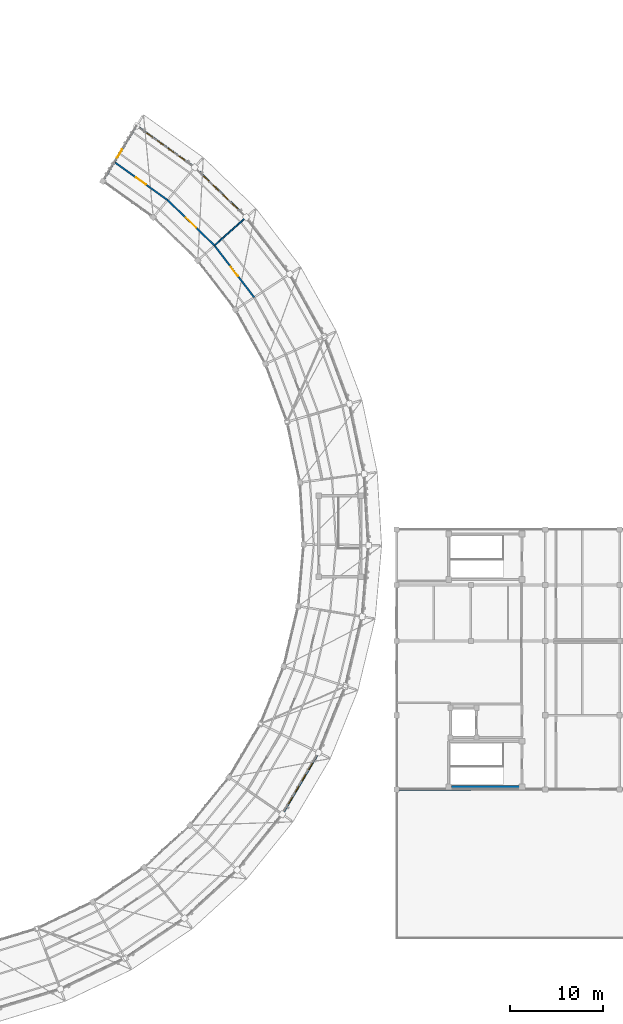
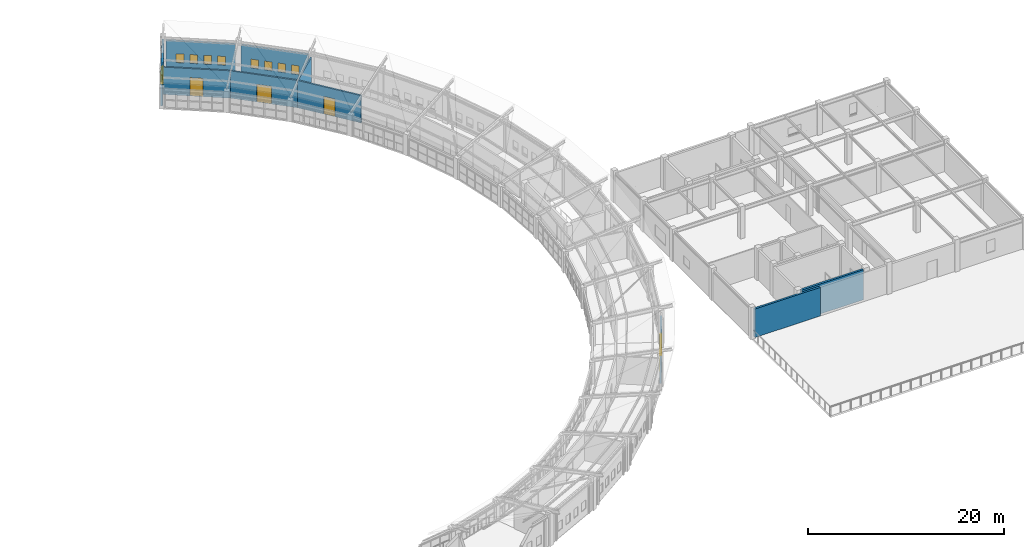
# One storey, part 131 of 149: 13 windows, 10 walls, 3 doors, 16 openings.
"""IFC4 building model written with IfcOpenShell, lengths in metres."""

from ifc_helpers import new_model, si_unit, direction, frame, frame_2d, origin, place, context, subcontext, project, spatial, rectangle, extrude, material, layer, layer_set, type_object, element, fill, save


model = new_model("IFC4")

# Units and contexts
model_context = context("Model", 3, precision=1e-05, world=origin(), true_north=direction((0.0, 1.0)))
body_context = subcontext(model_context, "Body", "Model", "MODEL_VIEW")
ifc_project = project(units=[si_unit("LENGTHUNIT", "METRE"), si_unit("AREAUNIT", "SQUARE_METRE"), si_unit("VOLUMEUNIT", "CUBIC_METRE"), si_unit("PLANEANGLEUNIT", "RADIAN"), si_unit("MASSUNIT", "GRAM", prefix="KILO")], contexts=[model_context])

# Site, building, storey
site_placement = place(None, origin())
site = spatial("IfcSite", under=ifc_project, at=site_placement, CompositionType="ELEMENT")
building_placement = place(site_placement, origin())
building = spatial("IfcBuilding", under=site, at=building_placement, Name="Celadon Cloister-Ring School", CompositionType="ELEMENT")
storey_placement = place(building_placement, frame((0.0, 0.0, 12.5)))
storey = spatial("IfcBuildingStorey", under=building, at=storey_placement, Name="L03", CompositionType="ELEMENT", Elevation=12.5)

# Wall
ifc_material_1 = material(Name="Rendered concrete blockwork", Category="masonry")
ifc_layer_1 = layer(ifc_material_1, 0.239990234375)
ifc_layer_set_1 = layer_set([ifc_layer_1], Name="Rendered concrete blockwork")
wall_type_1 = type_object("IfcWallType", Name="WT-EX3", PredefinedType="SOLIDWALL", material=ifc_layer_set_1)
wall_1_placement = place(storey_placement, frame((150.0, 32.0, 0.0), z_axis=(0.0, 0.0, 1.0), x_axis=(-1.0, 0.0, 0.0)))
element("IfcWall", 1, at=wall_1_placement, inside=storey, type_object=wall_type_1, Name="Exterior Wall 0486", PredefinedType="SOLIDWALL", context=body_context, shape_type="SweptSolid", body=[
    extrude(rectangle(XDim=7.722900390625, YDim=0.239990234375, at=frame_2d((3.861328125, 0.0))), origin(), (0.0, 0.0, 1.0), 3.550048828125),
])

# Wall, openings, windows
ifc_material_2 = material(Name="Perforated terracotta clay brick masonry", Category="masonry")
ifc_layer_2 = layer(ifc_material_2, 0.219970703125)
ifc_layer_set_2 = layer_set([ifc_layer_2], Name="Perforated terracotta clay brick masonry")
wall_type_2 = type_object("IfcWallType", Name="WT-EX4", PredefinedType="SOLIDWALL", material=ifc_layer_set_2)
wall_2_placement = place(storey_placement, frame((133.467041015625, 35.708984375, 0.0), z_axis=(0.0, 0.0, 1.0), x_axis=(-0.507925334326, -0.861401099808, 0.0)))
wall_2 = element("IfcWall", 2, at=wall_2_placement, inside=storey, type_object=wall_type_2, Name="Exterior Wall 0198", PredefinedType="SOLIDWALL", context=body_context, shape_type="SweptSolid", body=[
    extrude(rectangle(XDim=7.08154296875, YDim=0.219970703125, at=frame_2d((3.540771484375, 0.0))), origin(), (0.0, 0.0, 1.0), 3.537109375),
])
opening_1_placement = place(wall_2_placement, frame((1.01611328125, 0.0, 0.85009765625)))
opening_1 = element("IfcOpeningElement", 3, at=opening_1_placement, cuts=wall_2, Name="Opening WN-01", PredefinedType="OPENING", context=body_context, shape_type="SweptSolid", body=[
    extrude(rectangle(XDim=0.800048828125, YDim=1.10009765625, at=frame_2d((0.39990234375, 0.550048828125))), frame((0.0, 0.1201171875, 0.0), z_axis=(0.0, -1.0, 0.0), x_axis=(1.0, 0.0, 0.0)), (0.0, 0.0, 1.0), 0.239990234375),
])
opening_2_placement = place(wall_2_placement, frame((2.43310546875, 0.0, 0.85009765625)))
opening_2 = element("IfcOpeningElement", 4, at=opening_2_placement, cuts=wall_2, Name="Opening WN-01", PredefinedType="OPENING", context=body_context, shape_type="SweptSolid", body=[
    extrude(rectangle(XDim=0.800048828125, YDim=1.10009765625, at=frame_2d((0.39990234375, 0.550048828125))), frame((0.0, 0.1201171875, 0.0), z_axis=(0.0, -1.0, 0.0), x_axis=(1.0, 0.0, 0.0)), (0.0, 0.0, 1.0), 0.239990234375),
])
opening_3_placement = place(wall_2_placement, frame((3.84912109375, 0.0, 0.85009765625)))
opening_3 = element("IfcOpeningElement", 5, at=opening_3_placement, cuts=wall_2, Name="Opening WN-01", PredefinedType="OPENING", context=body_context, shape_type="SweptSolid", body=[
    extrude(rectangle(XDim=0.800048828125, YDim=1.10009765625, at=frame_2d((0.39990234375, 0.550048828125))), frame((0.0, 0.1201171875, 0.0), z_axis=(0.0, -1.0, 0.0), x_axis=(1.0, 0.0, 0.0)), (0.0, 0.0, 1.0), 0.239990234375),
])
opening_4_placement = place(wall_2_placement, frame((5.264892578125, 0.0, 0.85009765625)))
opening_4 = element("IfcOpeningElement", 6, at=opening_4_placement, cuts=wall_2, Name="Opening WN-01", PredefinedType="OPENING", context=body_context, shape_type="SweptSolid", body=[
    extrude(rectangle(XDim=0.800048828125, YDim=1.10009765625, at=frame_2d((0.39990234375, 0.550048828125))), frame((0.0, 0.1201171875, 0.0), z_axis=(0.0, -1.0, 0.0), x_axis=(1.0, 0.0, 0.0)), (0.0, 0.0, 1.0), 0.239990234375),
])
ifc_material_3 = material(Name="Tempered laminated insulating glass", Category="glass")
window_type_1 = type_object("IfcWindowType", Name="WN-01", PartitioningType="SINGLE_PANEL", PredefinedType="WINDOW", material=ifc_material_3)
window_1_placement = place(opening_1_placement, origin())
window_1 = element("IfcWindow", 7, at=window_1_placement, inside=storey, type_object=window_type_1, Name="Window 0534", OverallHeight=1.10009765625, OverallWidth=0.800048828125, PartitioningType="SINGLE_PANEL", PredefinedType="WINDOW", context=body_context, shape_type="SweptSolid", body=[
    extrude(rectangle(XDim=0.800048828125, YDim=1.10009765625, at=frame_2d((0.39990234375, 0.550048828125))), frame((0.0, 0.030029296875, 0.0), z_axis=(0.0, -1.0, 0.0), x_axis=(1.0, 0.0, 0.0)), (0.0, 0.0, 1.0), 0.06005859375),
])
fill(opening_1, window_1)
window_2_placement = place(opening_2_placement, origin())
window_2 = element("IfcWindow", 8, at=window_2_placement, inside=storey, type_object=window_type_1, Name="Window 0535", OverallHeight=1.10009765625, OverallWidth=0.800048828125, PartitioningType="SINGLE_PANEL", PredefinedType="WINDOW", context=body_context, shape_type="SweptSolid", body=[
    extrude(rectangle(XDim=0.800048828125, YDim=1.10009765625, at=frame_2d((0.39990234375, 0.550048828125))), frame((0.0, 0.030029296875, 0.0), z_axis=(0.0, -1.0, 0.0), x_axis=(1.0, 0.0, 0.0)), (0.0, 0.0, 1.0), 0.06005859375),
])
fill(opening_2, window_2)
window_3_placement = place(opening_3_placement, origin())
window_3 = element("IfcWindow", 9, at=window_3_placement, inside=storey, type_object=window_type_1, Name="Window 0536", OverallHeight=1.10009765625, OverallWidth=0.800048828125, PartitioningType="SINGLE_PANEL", PredefinedType="WINDOW", context=body_context, shape_type="SweptSolid", body=[
    extrude(rectangle(XDim=0.800048828125, YDim=1.10009765625, at=frame_2d((0.39990234375, 0.550048828125))), frame((0.0, 0.030029296875, 0.0), z_axis=(0.0, -1.0, 0.0), x_axis=(1.0, 0.0, 0.0)), (0.0, 0.0, 1.0), 0.06005859375),
])
fill(opening_3, window_3)
window_4_placement = place(opening_4_placement, origin())
window_4 = element("IfcWindow", 10, at=window_4_placement, inside=storey, type_object=window_type_1, Name="Window 0537", OverallHeight=1.10009765625, OverallWidth=0.800048828125, PartitioningType="SINGLE_PANEL", PredefinedType="WINDOW", context=body_context, shape_type="SweptSolid", body=[
    extrude(rectangle(XDim=0.800048828125, YDim=1.10009765625, at=frame_2d((0.39990234375, 0.550048828125))), frame((0.0, 0.030029296875, 0.0), z_axis=(0.0, -1.0, 0.0), x_axis=(1.0, 0.0, 0.0)), (0.0, 0.0, 1.0), 0.06005859375),
])
fill(opening_4, window_4)

wall_3_placement = place(storey_placement, frame((120.52001953125, 98.72509765625, 0.0), z_axis=(0.0, 0.0, 1.0), x_axis=(0.71857824473, -0.695446120272, 0.0)))
wall_3 = element("IfcWall", 11, at=wall_3_placement, inside=storey, type_object=wall_type_2, Name="Exterior Wall 0207", PredefinedType="SOLIDWALL", context=body_context, shape_type="SweptSolid", body=[
    extrude(rectangle(XDim=7.081787109375, YDim=0.219970703125, at=frame_2d((3.541015625, 0.0))), origin(), (0.0, 0.0, 1.0), 3.537109375),
])
opening_5_placement = place(wall_3_placement, frame((1.01611328125, 0.0, 0.85009765625)))
opening_5 = element("IfcOpeningElement", 12, at=opening_5_placement, cuts=wall_3, Name="Opening WN-01", PredefinedType="OPENING", context=body_context, shape_type="SweptSolid", body=[
    extrude(rectangle(XDim=0.800048828125, YDim=1.10009765625, at=frame_2d((0.39990234375, 0.550048828125))), frame((0.0, 0.1201171875, 0.0), z_axis=(0.0, -1.0, 0.0), x_axis=(1.0, 0.0, 0.0)), (0.0, 0.0, 1.0), 0.239990234375),
])
opening_6_placement = place(wall_3_placement, frame((2.43310546875, 0.0, 0.85009765625)))
opening_6 = element("IfcOpeningElement", 13, at=opening_6_placement, cuts=wall_3, Name="Opening WN-01", PredefinedType="OPENING", context=body_context, shape_type="SweptSolid", body=[
    extrude(rectangle(XDim=0.800048828125, YDim=1.10009765625, at=frame_2d((0.39990234375, 0.550048828125))), frame((0.0, 0.1201171875, 0.0), z_axis=(0.0, -1.0, 0.0), x_axis=(1.0, 0.0, 0.0)), (0.0, 0.0, 1.0), 0.239990234375),
])
opening_7_placement = place(wall_3_placement, frame((3.84912109375, 0.0, 0.85009765625)))
opening_7 = element("IfcOpeningElement", 14, at=opening_7_placement, cuts=wall_3, Name="Opening WN-01", PredefinedType="OPENING", context=body_context, shape_type="SweptSolid", body=[
    extrude(rectangle(XDim=0.800048828125, YDim=1.10009765625, at=frame_2d((0.39990234375, 0.550048828125))), frame((0.0, 0.1201171875, 0.0), z_axis=(0.0, -1.0, 0.0), x_axis=(1.0, 0.0, 0.0)), (0.0, 0.0, 1.0), 0.239990234375),
])
opening_8_placement = place(wall_3_placement, frame((5.26611328125, 0.0, 0.85009765625)))
opening_8 = element("IfcOpeningElement", 15, at=opening_8_placement, cuts=wall_3, Name="Opening WN-01", PredefinedType="OPENING", context=body_context, shape_type="SweptSolid", body=[
    extrude(rectangle(XDim=0.800048828125, YDim=1.10009765625, at=frame_2d((0.39990234375, 0.550048828125))), frame((0.0, 0.1201171875, 0.0), z_axis=(0.0, -1.0, 0.0), x_axis=(1.0, 0.0, 0.0)), (0.0, 0.0, 1.0), 0.239990234375),
])
window_5_placement = place(opening_5_placement, origin())
window_5 = element("IfcWindow", 16, at=window_5_placement, inside=storey, type_object=window_type_1, Name="Window 0568", OverallHeight=1.10009765625, OverallWidth=0.800048828125, PartitioningType="SINGLE_PANEL", PredefinedType="WINDOW", context=body_context, shape_type="SweptSolid", body=[
    extrude(rectangle(XDim=0.800048828125, YDim=1.10009765625, at=frame_2d((0.39990234375, 0.550048828125))), frame((0.0, 0.030029296875, 0.0), z_axis=(0.0, -1.0, 0.0), x_axis=(1.0, 0.0, 0.0)), (0.0, 0.0, 1.0), 0.06005859375),
])
fill(opening_5, window_5)
window_6_placement = place(opening_6_placement, origin())
window_6 = element("IfcWindow", 17, at=window_6_placement, inside=storey, type_object=window_type_1, Name="Window 0569", OverallHeight=1.10009765625, OverallWidth=0.800048828125, PartitioningType="SINGLE_PANEL", PredefinedType="WINDOW", context=body_context, shape_type="SweptSolid", body=[
    extrude(rectangle(XDim=0.800048828125, YDim=1.10009765625, at=frame_2d((0.39990234375, 0.550048828125))), frame((0.0, 0.030029296875, 0.0), z_axis=(0.0, -1.0, 0.0), x_axis=(1.0, 0.0, 0.0)), (0.0, 0.0, 1.0), 0.06005859375),
])
fill(opening_6, window_6)
window_7_placement = place(opening_7_placement, origin())
window_7 = element("IfcWindow", 18, at=window_7_placement, inside=storey, type_object=window_type_1, Name="Window 0570", OverallHeight=1.10009765625, OverallWidth=0.800048828125, PartitioningType="SINGLE_PANEL", PredefinedType="WINDOW", context=body_context, shape_type="SweptSolid", body=[
    extrude(rectangle(XDim=0.800048828125, YDim=1.10009765625, at=frame_2d((0.39990234375, 0.550048828125))), frame((0.0, 0.030029296875, 0.0), z_axis=(0.0, -1.0, 0.0), x_axis=(1.0, 0.0, 0.0)), (0.0, 0.0, 1.0), 0.06005859375),
])
fill(opening_7, window_7)
window_8_placement = place(opening_8_placement, origin())
window_8 = element("IfcWindow", 19, at=window_8_placement, inside=storey, type_object=window_type_1, Name="Window 0571", OverallHeight=1.10009765625, OverallWidth=0.800048828125, PartitioningType="SINGLE_PANEL", PredefinedType="WINDOW", context=body_context, shape_type="SweptSolid", body=[
    extrude(rectangle(XDim=0.800048828125, YDim=1.10009765625, at=frame_2d((0.39990234375, 0.550048828125))), frame((0.0, 0.030029296875, 0.0), z_axis=(0.0, -1.0, 0.0), x_axis=(1.0, 0.0, 0.0)), (0.0, 0.0, 1.0), 0.06005859375),
])
fill(opening_8, window_8)

wall_4_placement = place(storey_placement, frame((114.283935546875, 103.240966796875, 0.0), z_axis=(0.0, 0.0, 1.0), x_axis=(0.813425855983, -0.581668614262, 0.0)))
wall_4 = element("IfcWall", 20, at=wall_4_placement, inside=storey, type_object=wall_type_2, Name="Exterior Wall 0208", PredefinedType="SOLIDWALL", context=body_context, shape_type="SweptSolid", body=[
    extrude(rectangle(XDim=7.0810546875, YDim=0.219970703125, at=frame_2d((3.54052734375, 0.0))), origin(), (0.0, 0.0, 1.0), 3.537109375),
])
opening_9_placement = place(wall_4_placement, frame((1.01611328125, 0.0, 0.85009765625)))
opening_9 = element("IfcOpeningElement", 21, at=opening_9_placement, cuts=wall_4, Name="Opening WN-01", PredefinedType="OPENING", context=body_context, shape_type="SweptSolid", body=[
    extrude(rectangle(XDim=0.800048828125, YDim=1.10009765625, at=frame_2d((0.39990234375, 0.550048828125))), frame((0.0, 0.1201171875, 0.0), z_axis=(0.0, -1.0, 0.0), x_axis=(1.0, 0.0, 0.0)), (0.0, 0.0, 1.0), 0.239990234375),
])
opening_10_placement = place(wall_4_placement, frame((2.431884765625, 0.0, 0.85009765625)))
opening_10 = element("IfcOpeningElement", 22, at=opening_10_placement, cuts=wall_4, Name="Opening WN-01", PredefinedType="OPENING", context=body_context, shape_type="SweptSolid", body=[
    extrude(rectangle(XDim=0.800048828125, YDim=1.10009765625, at=frame_2d((0.39990234375, 0.550048828125))), frame((0.0, 0.1201171875, 0.0), z_axis=(0.0, -1.0, 0.0), x_axis=(1.0, 0.0, 0.0)), (0.0, 0.0, 1.0), 0.239990234375),
])
opening_11_placement = place(wall_4_placement, frame((3.84912109375, 0.0, 0.85009765625)))
opening_11 = element("IfcOpeningElement", 23, at=opening_11_placement, cuts=wall_4, Name="Opening WN-01", PredefinedType="OPENING", context=body_context, shape_type="SweptSolid", body=[
    extrude(rectangle(XDim=0.800048828125, YDim=1.10009765625, at=frame_2d((0.39990234375, 0.550048828125))), frame((0.0, 0.1201171875, 0.0), z_axis=(0.0, -1.0, 0.0), x_axis=(1.0, 0.0, 0.0)), (0.0, 0.0, 1.0), 0.239990234375),
])
opening_12_placement = place(wall_4_placement, frame((5.264892578125, 0.0, 0.85009765625)))
opening_12 = element("IfcOpeningElement", 24, at=opening_12_placement, cuts=wall_4, Name="Opening WN-01", PredefinedType="OPENING", context=body_context, shape_type="SweptSolid", body=[
    extrude(rectangle(XDim=0.800048828125, YDim=1.10009765625, at=frame_2d((0.39990234375, 0.550048828125))), frame((0.0, 0.1201171875, 0.0), z_axis=(0.0, -1.0, 0.0), x_axis=(1.0, 0.0, 0.0)), (0.0, 0.0, 1.0), 0.239990234375),
])
window_9_placement = place(opening_9_placement, origin())
window_9 = element("IfcWindow", 25, at=window_9_placement, inside=storey, type_object=window_type_1, Name="Window 0572", OverallHeight=1.10009765625, OverallWidth=0.800048828125, PartitioningType="SINGLE_PANEL", PredefinedType="WINDOW", context=body_context, shape_type="SweptSolid", body=[
    extrude(rectangle(XDim=0.800048828125, YDim=1.10009765625, at=frame_2d((0.39990234375, 0.550048828125))), frame((0.0, 0.030029296875, 0.0), z_axis=(0.0, -1.0, 0.0), x_axis=(1.0, 0.0, 0.0)), (0.0, 0.0, 1.0), 0.06005859375),
])
fill(opening_9, window_9)
window_10_placement = place(opening_10_placement, origin())
window_10 = element("IfcWindow", 26, at=window_10_placement, inside=storey, type_object=window_type_1, Name="Window 0573", OverallHeight=1.10009765625, OverallWidth=0.800048828125, PartitioningType="SINGLE_PANEL", PredefinedType="WINDOW", context=body_context, shape_type="SweptSolid", body=[
    extrude(rectangle(XDim=0.800048828125, YDim=1.10009765625, at=frame_2d((0.39990234375, 0.550048828125))), frame((0.0, 0.030029296875, 0.0), z_axis=(0.0, -1.0, 0.0), x_axis=(1.0, 0.0, 0.0)), (0.0, 0.0, 1.0), 0.06005859375),
])
fill(opening_10, window_10)
window_11_placement = place(opening_11_placement, origin())
window_11 = element("IfcWindow", 27, at=window_11_placement, inside=storey, type_object=window_type_1, Name="Window 0574", OverallHeight=1.10009765625, OverallWidth=0.800048828125, PartitioningType="SINGLE_PANEL", PredefinedType="WINDOW", context=body_context, shape_type="SweptSolid", body=[
    extrude(rectangle(XDim=0.800048828125, YDim=1.10009765625, at=frame_2d((0.39990234375, 0.550048828125))), frame((0.0, 0.030029296875, 0.0), z_axis=(0.0, -1.0, 0.0), x_axis=(1.0, 0.0, 0.0)), (0.0, 0.0, 1.0), 0.06005859375),
])
fill(opening_11, window_11)
window_12_placement = place(opening_12_placement, origin())
window_12 = element("IfcWindow", 28, at=window_12_placement, inside=storey, type_object=window_type_1, Name="Window 0575", OverallHeight=1.10009765625, OverallWidth=0.800048828125, PartitioningType="SINGLE_PANEL", PredefinedType="WINDOW", context=body_context, shape_type="SweptSolid", body=[
    extrude(rectangle(XDim=0.800048828125, YDim=1.10009765625, at=frame_2d((0.39990234375, 0.550048828125))), frame((0.0, 0.030029296875, 0.0), z_axis=(0.0, -1.0, 0.0), x_axis=(1.0, 0.0, 0.0)), (0.0, 0.0, 1.0), 0.06005859375),
])
fill(opening_12, window_12)

# Wall, opening, window
wall_5_placement = place(storey_placement, frame((110.535888671875, 97.678955078125, 0.0), z_axis=(0.0, 0.0, 1.0), x_axis=(0.519875778263, 0.854241871589, 0.0)))
wall_5 = element("IfcWall", 29, at=wall_5_placement, inside=storey, type_object=wall_type_2, Name="Exterior Wall 0210", PredefinedType="SOLIDWALL", context=body_context, shape_type="SweptSolid", body=[
    extrude(rectangle(XDim=6.421142578125, YDim=0.219970703125, at=frame_2d((3.21044921875, 0.0))), origin(), (0.0, 0.0, 1.0), 3.85009765625),
])
opening_13_placement = place(wall_5_placement, frame((2.68505859375, 0.0, 0.89990234375)))
opening_13 = element("IfcOpeningElement", 30, at=opening_13_placement, cuts=wall_5, Name="Opening WN-22", PredefinedType="OPENING", context=body_context, shape_type="SweptSolid", body=[
    extrude(rectangle(XDim=1.050048828125, YDim=1.39990234375, at=frame_2d((0.52490234375, 0.699951171875))), frame((0.0, 0.1201171875, 0.0), z_axis=(0.0, -1.0, 0.0), x_axis=(1.0, 0.0, 0.0)), (0.0, 0.0, 1.0), 0.239990234375),
])
ifc_material_4 = material(Name="Tempered laminated insulating glass", Category="glass")
window_type_2 = type_object("IfcWindowType", Name="WN-22", PartitioningType="SINGLE_PANEL", PredefinedType="WINDOW", material=ifc_material_4)
window_13_placement = place(opening_13_placement, origin())
window_13 = element("IfcWindow", 31, at=window_13_placement, inside=storey, type_object=window_type_2, Name="Window 0577", OverallHeight=1.39990234375, OverallWidth=1.050048828125, PartitioningType="SINGLE_PANEL", PredefinedType="WINDOW", context=body_context, shape_type="SweptSolid", body=[
    extrude(rectangle(XDim=1.050048828125, YDim=1.39990234375, at=frame_2d((0.52490234375, 0.699951171875))), frame((0.0, 0.030029296875, 0.0), z_axis=(0.0, -1.0, 0.0), x_axis=(1.0, 0.0, 0.0)), (0.0, 0.0, 1.0), 0.06005859375),
])
fill(opening_13, window_13)

# Wall, opening, door
ifc_material_5 = material(Name="Plastered hollow concrete masonry", Category="masonry")
ifc_layer_3 = layer(ifc_material_5, 0.179931640625)
ifc_layer_set_3 = layer_set([ifc_layer_3], Name="Plastered hollow concrete masonry")
wall_type_3 = type_object("IfcWallType", Name="WT-PT2", PredefinedType="PARTITIONING", material=ifc_layer_set_3)
wall_6_placement = place(storey_placement, frame((126.68310546875, 84.9599609375, 0.0), z_axis=(0.0, 0.0, 1.0), x_axis=(-0.607932411016, 0.793988780548, 0.0)))
wall_6 = element("IfcWall", 32, at=wall_6_placement, inside=storey, type_object=wall_type_3, Name="Interior Wall 0635", PredefinedType="PARTITIONING", context=body_context, shape_type="SweptSolid", body=[
    extrude(rectangle(XDim=7.025390625, YDim=0.179931640625, at=frame_2d((3.5126953125, 0.0))), origin(), (0.0, 0.0, 1.0), 3.39697265625),
])
opening_14_placement = place(wall_6_placement, frame((2.887939453125, 0.0, 0.0)))
opening_14 = element("IfcOpeningElement", 33, at=opening_14_placement, cuts=wall_6, Name="Opening D-0232", PredefinedType="OPENING", context=body_context, shape_type="SweptSolid", body=[
    extrude(rectangle(XDim=1.25, YDim=2.199951171875, at=frame_2d((0.625, 1.10009765625))), frame((0.0, 0.10009765625, 0.0), z_axis=(0.0, -1.0, 0.0), x_axis=(1.0, 0.0, 0.0)), (0.0, 0.0, 1.0), 0.199951171875),
])
ifc_material_6 = material(Name="Galvanised fire-rated hollow steel leaf", Category="steel")
door_type_1 = type_object("IfcDoorType", Name="DT-10", OperationType="NOTDEFINED", PredefinedType="DOOR", material=ifc_material_6)
door_1_placement = place(opening_14_placement, origin())
door_1 = element("IfcDoor", 34, at=door_1_placement, inside=storey, type_object=door_type_1, Name="Door D-0232", OperationType="SINGLE_SWING_RIGHT", OverallHeight=2.199951171875, OverallWidth=1.25, PredefinedType="DOOR", context=body_context, shape_type="SweptSolid", body=[
    extrude(rectangle(XDim=1.25, YDim=2.199951171875, at=frame_2d((0.625, 1.10009765625))), frame((0.0, 0.02490234375, 0.0), z_axis=(0.0, -1.0, 0.0), x_axis=(1.0, 0.0, 0.0)), (0.0, 0.0, 1.0), 0.050048828125),
])
fill(opening_14, door_1)

wall_7_placement = place(storey_placement, frame((122.412109375, 90.5380859375, 0.0), z_axis=(0.0, 0.0, 1.0), x_axis=(-0.718550040998, 0.695475260942, 0.0)))
wall_7 = element("IfcWall", 35, at=wall_7_placement, inside=storey, type_object=wall_type_3, Name="Interior Wall 0636", PredefinedType="PARTITIONING", context=body_context, shape_type="SweptSolid", body=[
    extrude(rectangle(XDim=7.025390625, YDim=0.179931640625, at=frame_2d((3.5126953125, 0.0))), origin(), (0.0, 0.0, 1.0), 3.39697265625),
])
opening_15_placement = place(wall_7_placement, frame((2.738037109375, 0.0, 0.0)))
opening_15 = element("IfcOpeningElement", 36, at=opening_15_placement, cuts=wall_7, Name="Opening D-0233", PredefinedType="OPENING", context=body_context, shape_type="SweptSolid", body=[
    extrude(rectangle(XDim=1.550048828125, YDim=2.199951171875, at=frame_2d((0.77490234375, 1.10009765625))), frame((0.0, 0.10009765625, 0.0), z_axis=(0.0, -1.0, 0.0), x_axis=(1.0, 0.0, 0.0)), (0.0, 0.0, 1.0), 0.199951171875),
])
ifc_material_7 = material(Name="Galvanised fire-rated hollow steel leaf", Category="steel")
door_type_2 = type_object("IfcDoorType", Name="DT-13", OperationType="NOTDEFINED", PredefinedType="DOOR", material=ifc_material_7)
door_2_placement = place(opening_15_placement, origin())
door_2 = element("IfcDoor", 37, at=door_2_placement, inside=storey, type_object=door_type_2, Name="Door D-0233", OperationType="SINGLE_SWING_LEFT", OverallHeight=2.199951171875, OverallWidth=1.550048828125, PredefinedType="DOOR", context=body_context, shape_type="SweptSolid", body=[
    extrude(rectangle(XDim=1.550048828125, YDim=2.199951171875, at=frame_2d((0.77490234375, 1.10009765625))), frame((0.0, 0.02490234375, 0.0), z_axis=(0.0, -1.0, 0.0), x_axis=(1.0, 0.0, 0.0)), (0.0, 0.0, 1.0), 0.050048828125),
])
fill(opening_15, door_2)

wall_8_placement = place(storey_placement, frame((117.364013671875, 95.424072265625, 0.0), z_axis=(0.0, 0.0, 1.0), x_axis=(-0.813442184371, 0.581645779393, 0.0)))
wall_8 = element("IfcWall", 38, at=wall_8_placement, inside=storey, type_object=wall_type_3, Name="Interior Wall 0637", PredefinedType="PARTITIONING", context=body_context, shape_type="SweptSolid", body=[
    extrude(rectangle(XDim=6.911376953125, YDim=0.179931640625, at=frame_2d((3.45556640625, 0.0))), origin(), (0.0, 0.0, 1.0), 3.39599609375),
])
opening_16_placement = place(wall_8_placement, frame((2.862060546875, 0.0, 0.0)))
opening_16 = element("IfcOpeningElement", 39, at=opening_16_placement, cuts=wall_8, Name="Opening D-0234", PredefinedType="OPENING", context=body_context, shape_type="SweptSolid", body=[
    extrude(rectangle(XDim=1.300048828125, YDim=2.280029296875, at=frame_2d((0.64990234375, 1.14013671875))), frame((0.0, 0.10009765625, 0.0), z_axis=(0.0, -1.0, 0.0), x_axis=(1.0, 0.0, 0.0)), (0.0, 0.0, 1.0), 0.199951171875),
])
ifc_material_8 = material(Name="Galvanised fire-rated hollow steel leaf", Category="steel")
door_type_3 = type_object("IfcDoorType", Name="DT-16", OperationType="NOTDEFINED", PredefinedType="DOOR", material=ifc_material_8)
door_3_placement = place(opening_16_placement, origin())
door_3 = element("IfcDoor", 40, at=door_3_placement, inside=storey, type_object=door_type_3, Name="Door D-0234", OperationType="SINGLE_SWING_RIGHT", OverallHeight=2.280029296875, OverallWidth=1.300048828125, PredefinedType="DOOR", context=body_context, shape_type="SweptSolid", body=[
    extrude(rectangle(XDim=1.300048828125, YDim=2.280029296875, at=frame_2d((0.64990234375, 1.14013671875))), frame((0.0, 0.02490234375, 0.0), z_axis=(0.0, -1.0, 0.0), x_axis=(1.0, 0.0, 0.0)), (0.0, 0.0, 1.0), 0.050048828125),
])
fill(opening_16, door_3)

# Walls
ifc_material_9 = material(Name="Acoustic mineral-wool drywall partition")
ifc_layer_4 = layer(ifc_material_9, 0.139892578125)
ifc_layer_set_4 = layer_set([ifc_layer_4], Name="Acoustic mineral-wool drywall partition")
wall_type_4 = type_object("IfcWallType", Name="WT-PT4", PredefinedType="PARTITIONING", material=ifc_layer_set_4)
wall_9_placement = place(storey_placement, frame((122.412109375, 90.5380859375, 0.0), z_axis=(0.0, 0.0, 1.0), x_axis=(0.746752390412, 0.665102148105, 0.0)))
element("IfcWall", 41, at=wall_9_placement, inside=storey, type_object=wall_type_4, Name="Interior Wall 0606", PredefinedType="PARTITIONING", context=body_context, shape_type="SweptSolid", body=[
    extrude(rectangle(XDim=4.287841796875, YDim=0.139892578125, at=frame_2d((2.14404296875, 0.0))), origin(), (0.0, 0.0, 1.0), 3.39697265625),
])
ifc_material_10 = material(Name="Concrete C40/50", Category="concrete")
ifc_layer_5 = layer(ifc_material_10, 0.239990234375)
ifc_layer_set_5 = layer_set([ifc_layer_5], Name="Concrete C40/50")
wall_type_5 = type_object("IfcWallType", Name="WT-SH1", PredefinedType="SHEAR", material=ifc_layer_set_5)
wall_10_placement = place(storey_placement, frame((155.2080078125, 32.300048828125, 0.0), z_axis=(0.0, 0.0, 1.0), x_axis=(-1.0, 0.0, 0.0)))
element("IfcWall", 42, at=wall_10_placement, inside=storey, type_object=wall_type_5, Name="Interior Wall 0143", PredefinedType="SHEAR", context=body_context, shape_type="SweptSolid", body=[
    extrude(rectangle(XDim=7.31591796875, YDim=0.239990234375, at=frame_2d((3.657958984375, 0.0))), origin(), (0.0, 0.0, 1.0), 3.739990234375),
])

save(model, "model.ifc")
